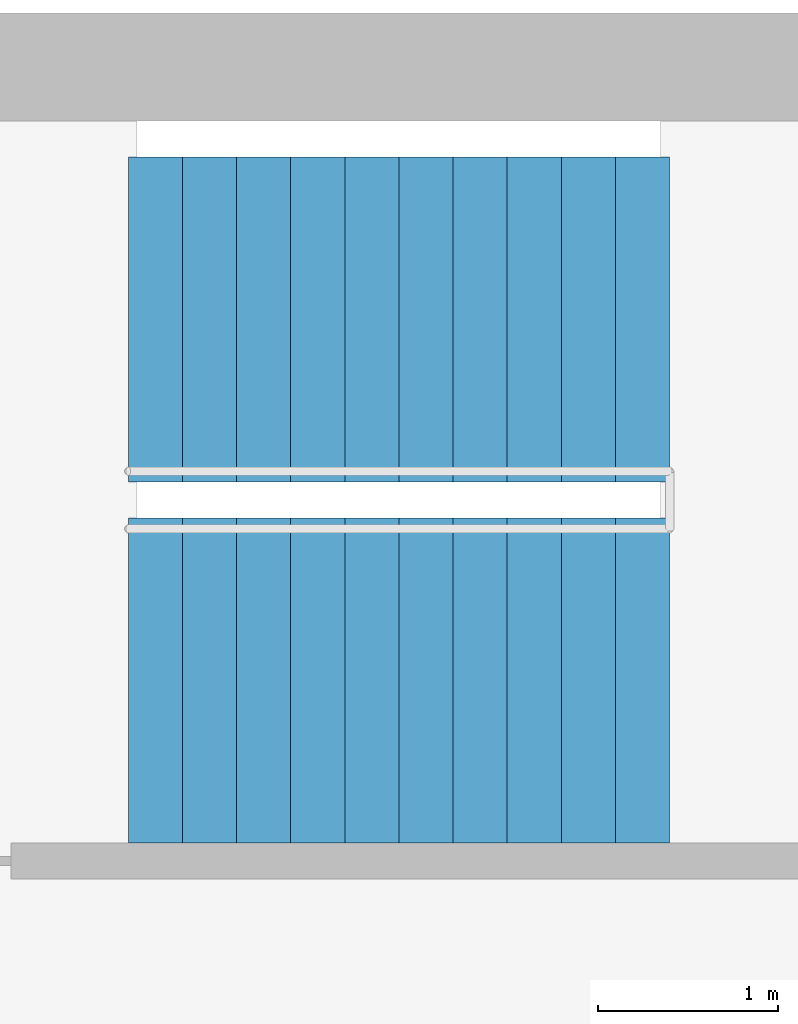
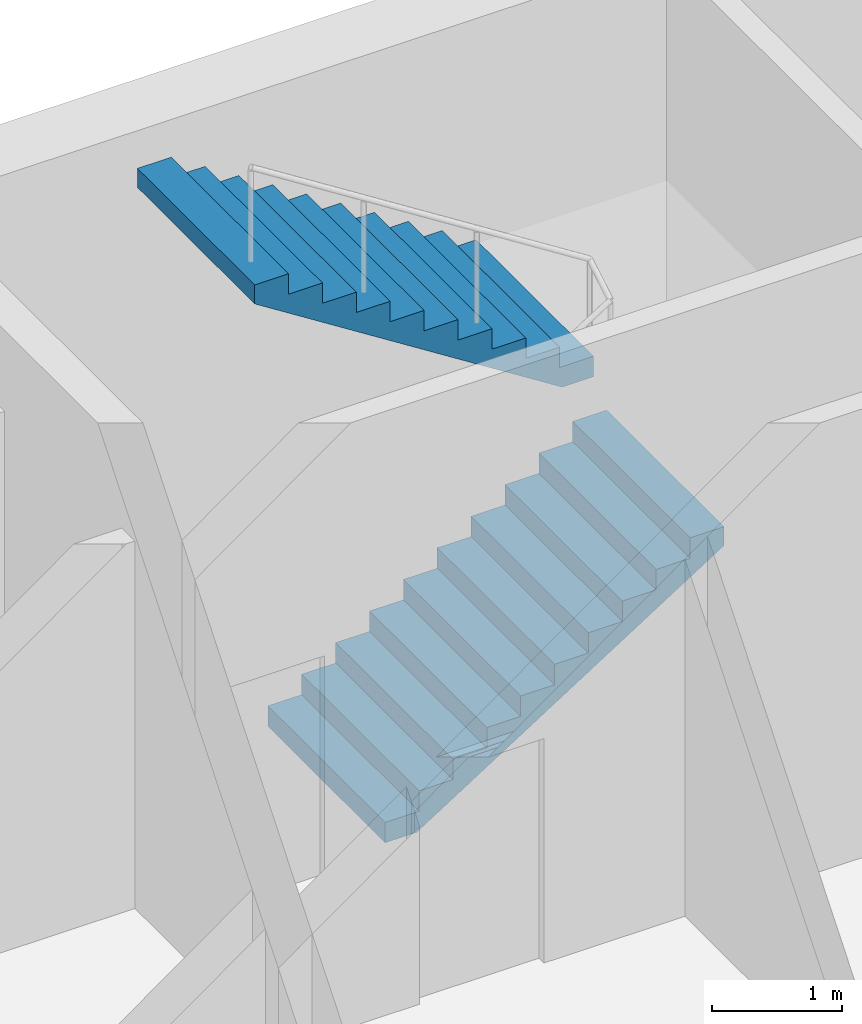
# One storey, part 13 of 16: 2 stair flights, 1 element without a shape of its own.
"""IFC4 building model written with IfcOpenShell, lengths in metres."""

from ifc_helpers import new_model, si_unit, direction, frame, origin, place, context, subcontext, project, spatial, polyline, outline, extrude, material, type_object, element, aggregate, save


model = new_model("IFC4")

# Units and contexts
model_context = context("Model", 3, precision=1e-05, world=origin(), true_north=direction((0.0, 1.0)))
body_context = subcontext(model_context, "Body", "Model", "MODEL_VIEW")
ifc_project = project(units=[si_unit("LENGTHUNIT", "METRE"), si_unit("AREAUNIT", "SQUARE_METRE"), si_unit("VOLUMEUNIT", "CUBIC_METRE"), si_unit("PLANEANGLEUNIT", "RADIAN"), si_unit("MASSUNIT", "GRAM", prefix="KILO")], contexts=[model_context])

# Site, building, storey
site_placement = place(None, origin())
site = spatial("IfcSite", under=ifc_project, at=site_placement, CompositionType="ELEMENT")
building_placement = place(site_placement, origin())
building = spatial("IfcBuilding", under=site, at=building_placement, Name="Crosswind Convention Tower", CompositionType="ELEMENT")
storey_placement = place(building_placement, frame((0.0, 0.0, 212.5)))
storey = spatial("IfcBuildingStorey", under=building, at=storey_placement, Name="L45", CompositionType="ELEMENT", Elevation=212.5)

# Stair, stair flights
ifc_material = material(Name="Concrete C40/50", Category="concrete")
stair_type = type_object("IfcStairType", Name="Exit stair 1800 wide, 2 flights of 11 risers", PredefinedType="HALF_TURN_STAIR", material=ifc_material)
stair_placement = place(storey_placement, origin())
stair = element("IfcStair", 1, at=stair_placement, inside=storey, type_object=stair_type, Name="Exit stair ST1 L45", ObjectType="ST5", PredefinedType="HALF_TURN_STAIR")
stair_flight_type = type_object("IfcStairFlightType", Name="Stair flight 1800 wide, 11 risers (SF4)", PredefinedType="STRAIGHT", material=ifc_material)
stair_flight_1_placement = place(storey_placement, frame((139.10009765625, 108.60009765625, 0.0), z_axis=(0.0, 0.0, 1.0), x_axis=(1.0, 0.0, 0.0)))
stair_flight_1 = element("IfcStairFlight", 2, at=stair_flight_1_placement, type_object=stair_flight_type, Name="ST1 flight 1", NumberOfRisers=11, NumberOfTreads=10, PredefinedType="STRAIGHT", RiserHeight=0.190909091, TreadLength=0.3, context=body_context, shape_type="SweptSolid", body=[
    extrude(outline(polyline([(0.0, 0.0), (0.0, 0.19091796875), (0.300048828125, 0.19091796875), (0.300048828125, 0.3818359375), (0.60009765625, 0.3818359375), (0.60009765625, 0.57275390625), (0.89990234375, 0.57275390625), (0.89990234375, 0.763671875), (1.199951171875, 0.763671875), (1.199951171875, 0.95458984375), (1.5, 0.95458984375), (1.5, 1.1455078125), (1.800048828125, 1.1455078125), (1.800048828125, 1.33642578125), (2.10009765625, 1.33642578125), (2.10009765625, 1.52734375), (2.39990234375, 1.52734375), (2.39990234375, 1.71826171875), (2.699951171875, 1.71826171875), (2.699951171875, 1.9091796875), (3.0, 1.9091796875), (3.0, 2.10009765625), (3.0, 1.7314453125), (0.279296875, 0.0), (0.0, 0.0)])), frame((0.0, 0.89990234375, 0.0), z_axis=(0.0, -1.0, 0.0), x_axis=(1.0, 0.0, 0.0)), (0.0, 0.0, 1.0), 1.800048828125),
])
stair_flight_2_placement = place(storey_placement, frame((142.10009765625, 110.60009765625, 2.10009765625), z_axis=(0.0, 0.0, 1.0), x_axis=(-1.0, 0.0, 0.0)))
stair_flight_2 = element("IfcStairFlight", 3, at=stair_flight_2_placement, type_object=stair_flight_type, Name="ST1 flight 2", NumberOfRisers=11, NumberOfTreads=10, PredefinedType="STRAIGHT", RiserHeight=0.190909091, TreadLength=0.3, context=body_context, shape_type="SweptSolid", body=[
    extrude(outline(polyline([(0.0, 0.0), (0.0, 0.19091796875), (0.300048828125, 0.19091796875), (0.300048828125, 0.3818359375), (0.60009765625, 0.3818359375), (0.60009765625, 0.57275390625), (0.89990234375, 0.57275390625), (0.89990234375, 0.763671875), (1.199951171875, 0.763671875), (1.199951171875, 0.95458984375), (1.5, 0.95458984375), (1.5, 1.1455078125), (1.800048828125, 1.1455078125), (1.800048828125, 1.33642578125), (2.10009765625, 1.33642578125), (2.10009765625, 1.52734375), (2.39990234375, 1.52734375), (2.39990234375, 1.71826171875), (2.699951171875, 1.71826171875), (2.699951171875, 1.9091796875), (3.0, 1.9091796875), (3.0, 2.10009765625), (3.0, 1.7314453125), (0.279296875, 0.0), (0.0, 0.0)])), frame((0.0, 0.89990234375, 0.0), z_axis=(0.0, -1.0, 0.0), x_axis=(1.0, 0.0, 0.0)), (0.0, 0.0, 1.0), 1.800048828125),
])
aggregate(stair, [stair_flight_1, stair_flight_2])

save(model, "model.ifc")
